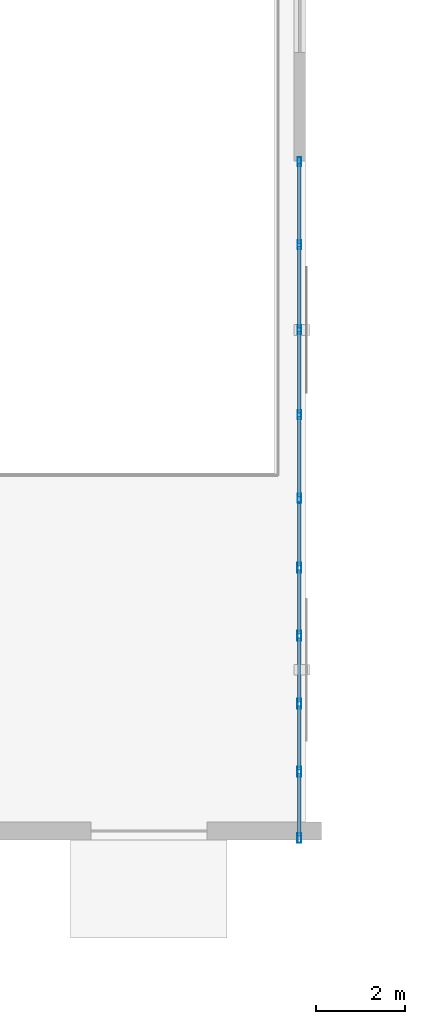
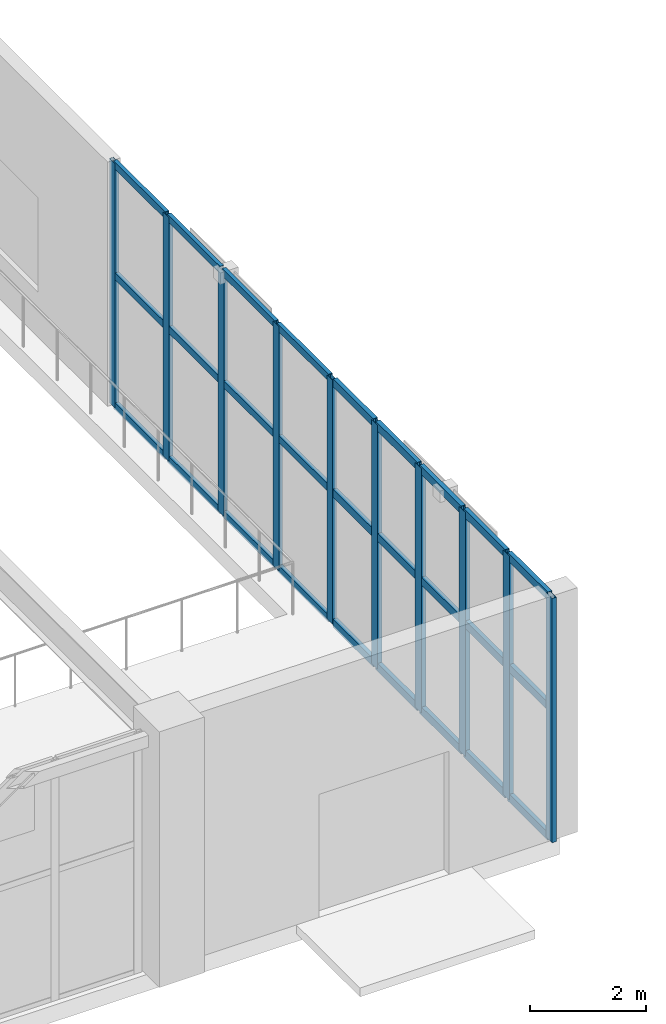
# One storey, part 97 of 139: 37 members, 2 elements without a shape of their own.
"""IFC4 building model written with IfcOpenShell, lengths in metres."""

from ifc_helpers import new_model, si_unit, direction, frame, origin, origin_2d, place, context, subcontext, project, spatial, hollow_rectangle, extrude, material, layer, layer_set, material_profile, profile_set, type_object, element, aggregate, save


model = new_model("IFC4")

# Units and contexts
model_context = context("Model", 3, precision=1e-05, world=origin(), true_north=direction((0.0, 1.0)))
body_context = subcontext(model_context, "Body", "Model", "MODEL_VIEW")
ifc_project = project(units=[si_unit("LENGTHUNIT", "METRE"), si_unit("AREAUNIT", "SQUARE_METRE"), si_unit("VOLUMEUNIT", "CUBIC_METRE"), si_unit("PLANEANGLEUNIT", "RADIAN"), si_unit("MASSUNIT", "GRAM", prefix="KILO")], contexts=[model_context])

# Site, building, storey
site_placement = place(None, origin())
site = spatial("IfcSite", under=ifc_project, at=site_placement, CompositionType="ELEMENT")
building_placement = place(site_placement, origin())
building = spatial("IfcBuilding", under=site, at=building_placement, Name="Xicomal Pleat Aquarium", CompositionType="ELEMENT")
storey_placement = place(building_placement, origin())
storey = spatial("IfcBuildingStorey", under=building, at=storey_placement, Name="L01", CompositionType="ELEMENT", Elevation=0.0)

# Curtain wall, members
ifc_material_1 = material(Name="Bronze anodized aluminium 6063-T6", Category="aluminium")
ifc_layer_1 = layer(ifc_material_1, 0.159912109375)
ifc_layer_set_1 = layer_set([ifc_layer_1], Name="Bronze anodized aluminium 6063-T6")
curtain_wall_type_1 = type_object("IfcCurtainWallType", Name="CW-SYS-06", PredefinedType="NOTDEFINED", material=ifc_layer_set_1)
curtain_wall_1_placement = place(storey_placement, origin())
curtain_wall_1 = element("IfcCurtainWall", 1, at=curtain_wall_1_placement, inside=storey, type_object=curtain_wall_type_1, Name="L01 unitised curtain wall CW-L01-064", PredefinedType="NOTDEFINED")
ifc_material_2 = material(Name="Bronze anodized aluminium 6063-T6", Category="aluminium")
ifc_material_profile_1 = material_profile(ifc_material_2, hollow_rectangle(XDim=0.074951171875, YDim=0.199951171875, WallThickness=0.00439453125, at=origin_2d()), Name="ALU MULL 75x200")
ifc_profile_set_1 = profile_set([ifc_material_profile_1], Name="Bronze anodized aluminium 6063-T6")
member_type_1 = type_object("IfcMemberType", Name="CWM-75x200", PredefinedType="MULLION", material=ifc_profile_set_1)
member_1_placement = place(storey_placement, frame((164.860107421875, 91.16259765625, 0.0), z_axis=(0.0, 0.0, 1.0), x_axis=(1.0, 0.0, 0.0)))
member_1 = element("IfcMember", 2, at=member_1_placement, type_object=member_type_1, Name="CW-06 mullion 1", PredefinedType="MULLION", context=body_context, shape_type="SweptSolid", body=[
    extrude(hollow_rectangle(XDim=0.074951171875, YDim=0.199951171875, WallThickness=0.00439453125, at=origin_2d()), origin(), (0.0, 0.0, 1.0), 5.159912109375),
])
member_2_placement = place(storey_placement, frame((164.860107421875, 89.300048828125, 0.0), z_axis=(0.0, 0.0, 1.0), x_axis=(1.0, 0.0, 0.0)))
member_2 = element("IfcMember", 3, at=member_2_placement, type_object=member_type_1, Name="CW-06 mullion 2", PredefinedType="MULLION", context=body_context, shape_type="SweptSolid", body=[
    extrude(hollow_rectangle(XDim=0.074951171875, YDim=0.199951171875, WallThickness=0.00439453125, at=origin_2d()), origin(), (0.0, 0.0, 1.0), 5.159912109375),
])
member_3_placement = place(storey_placement, frame((164.860107421875, 87.39990234375, 0.0), z_axis=(0.0, 0.0, 1.0), x_axis=(1.0, 0.0, 0.0)))
member_3 = element("IfcMember", 4, at=member_3_placement, type_object=member_type_1, Name="CW-06 mullion 3", PredefinedType="MULLION", context=body_context, shape_type="SweptSolid", body=[
    extrude(hollow_rectangle(XDim=0.074951171875, YDim=0.199951171875, WallThickness=0.00439453125, at=origin_2d()), origin(), (0.0, 0.0, 1.0), 5.159912109375),
])
member_4_placement = place(storey_placement, frame((164.860107421875, 85.5, 0.0), z_axis=(0.0, 0.0, 1.0), x_axis=(1.0, 0.0, 0.0)))
member_4 = element("IfcMember", 5, at=member_4_placement, type_object=member_type_1, Name="CW-06 mullion 4", PredefinedType="MULLION", context=body_context, shape_type="SweptSolid", body=[
    extrude(hollow_rectangle(XDim=0.074951171875, YDim=0.199951171875, WallThickness=0.00439453125, at=origin_2d()), origin(), (0.0, 0.0, 1.0), 5.159912109375),
])
member_5_placement = place(storey_placement, frame((164.860107421875, 83.637451171875, 0.0), z_axis=(0.0, 0.0, 1.0), x_axis=(1.0, 0.0, 0.0)))
member_5 = element("IfcMember", 6, at=member_5_placement, type_object=member_type_1, Name="CW-06 mullion 5", PredefinedType="MULLION", context=body_context, shape_type="SweptSolid", body=[
    extrude(hollow_rectangle(XDim=0.074951171875, YDim=0.199951171875, WallThickness=0.00439453125, at=origin_2d()), origin(), (0.0, 0.0, 1.0), 5.159912109375),
])

ifc_material_3 = material(Name="Bronze anodized aluminium 6063-T6", Category="aluminium")
ifc_layer_2 = layer(ifc_material_3, 0.159912109375)
ifc_layer_set_2 = layer_set([ifc_layer_2], Name="Bronze anodized aluminium 6063-T6")
curtain_wall_type_2 = type_object("IfcCurtainWallType", Name="CW-SYS-11", PredefinedType="NOTDEFINED", material=ifc_layer_set_2)
curtain_wall_2_placement = place(storey_placement, origin())
curtain_wall_2 = element("IfcCurtainWall", 7, at=curtain_wall_2_placement, inside=storey, type_object=curtain_wall_type_2, Name="L01 unitised curtain wall CW-L01-065", PredefinedType="NOTDEFINED")
ifc_material_4 = material(Name="Bronze anodized aluminium 6063-T6", Category="aluminium")
ifc_material_profile_2 = material_profile(ifc_material_4, hollow_rectangle(XDim=0.0849609375, YDim=0.219970703125, WallThickness=0.0048828125, at=origin_2d()), Name="ALU MULL 85x220")
ifc_profile_set_2 = profile_set([ifc_material_profile_2], Name="Bronze anodized aluminium 6063-T6")
member_type_2 = type_object("IfcMemberType", Name="CWM-85x220", PredefinedType="MULLION", material=ifc_profile_set_2)
member_6_placement = place(storey_placement, frame((164.860107421875, 82.080078125, 0.0), z_axis=(0.0, 0.0, 1.0), x_axis=(1.0, 0.0, 0.0)))
member_6 = element("IfcMember", 8, at=member_6_placement, type_object=member_type_2, Name="CW-11 mullion 2", PredefinedType="MULLION", context=body_context, shape_type="SweptSolid", body=[
    extrude(hollow_rectangle(XDim=0.0849609375, YDim=0.219970703125, WallThickness=0.0048828125, at=origin_2d()), origin(), (0.0, 0.0, 1.0), 5.159912109375),
])
member_7_placement = place(storey_placement, frame((164.860107421875, 80.56005859375, 0.0), z_axis=(0.0, 0.0, 1.0), x_axis=(1.0, 0.0, 0.0)))
member_7 = element("IfcMember", 9, at=member_7_placement, type_object=member_type_2, Name="CW-11 mullion 3", PredefinedType="MULLION", context=body_context, shape_type="SweptSolid", body=[
    extrude(hollow_rectangle(XDim=0.0849609375, YDim=0.219970703125, WallThickness=0.0048828125, at=origin_2d()), origin(), (0.0, 0.0, 1.0), 5.159912109375),
])
member_8_placement = place(storey_placement, frame((164.860107421875, 79.0400390625, 0.0), z_axis=(0.0, 0.0, 1.0), x_axis=(1.0, 0.0, 0.0)))
member_8 = element("IfcMember", 10, at=member_8_placement, type_object=member_type_2, Name="CW-11 mullion 4", PredefinedType="MULLION", context=body_context, shape_type="SweptSolid", body=[
    extrude(hollow_rectangle(XDim=0.0849609375, YDim=0.219970703125, WallThickness=0.0048828125, at=origin_2d()), origin(), (0.0, 0.0, 1.0), 5.159912109375),
])
member_9_placement = place(storey_placement, frame((164.860107421875, 77.52001953125, 0.0), z_axis=(0.0, 0.0, 1.0), x_axis=(1.0, 0.0, 0.0)))
member_9 = element("IfcMember", 11, at=member_9_placement, type_object=member_type_2, Name="CW-11 mullion 5", PredefinedType="MULLION", context=body_context, shape_type="SweptSolid", body=[
    extrude(hollow_rectangle(XDim=0.0849609375, YDim=0.219970703125, WallThickness=0.0048828125, at=origin_2d()), origin(), (0.0, 0.0, 1.0), 5.159912109375),
])
member_10_placement = place(storey_placement, frame((164.860107421875, 76.04248046875, 0.0), z_axis=(0.0, 0.0, 1.0), x_axis=(1.0, 0.0, 0.0)))
member_10 = element("IfcMember", 12, at=member_10_placement, type_object=member_type_2, Name="CW-11 mullion 6", PredefinedType="MULLION", context=body_context, shape_type="SweptSolid", body=[
    extrude(hollow_rectangle(XDim=0.0849609375, YDim=0.219970703125, WallThickness=0.0048828125, at=origin_2d()), origin(), (0.0, 0.0, 1.0), 5.159912109375),
])

# Member
ifc_material_5 = material(Name="Bronze anodized aluminium 6063-T6", Category="aluminium")
ifc_material_profile_3 = material_profile(ifc_material_5, hollow_rectangle(XDim=0.074951171875, YDim=0.14990234375, WallThickness=0.00439453125, at=origin_2d()), Name="ALU TRAN 75x150")
ifc_profile_set_3 = profile_set([ifc_material_profile_3], Name="Bronze anodized aluminium 6063-T6")
member_type_3 = type_object("IfcMemberType", Name="CWT-75x150", PredefinedType="USERDEFINED", material=ifc_profile_set_3)
member_11_placement = place(storey_placement, frame((164.860107421875, 91.125, 0.03759765625), z_axis=(0.0, -1.0, 0.0), x_axis=(1.0, 0.0, 0.0)))
member_11 = element("IfcMember", 13, at=member_11_placement, type_object=member_type_3, Name="CW-06 transom 1.1", ObjectType="TRANSOM", PredefinedType="USERDEFINED", context=body_context, shape_type="SweptSolid", body=[
    extrude(hollow_rectangle(XDim=0.074951171875, YDim=0.14990234375, WallThickness=0.00439453125, at=origin_2d()), origin(), (0.0, 0.0, 1.0), 1.78759765625),
])

member_12_placement = place(storey_placement, frame((164.860107421875, 91.125, 2.785888671875), z_axis=(0.0, -1.0, 0.0), x_axis=(1.0, 0.0, 0.0)))
member_12 = element("IfcMember", 14, at=member_12_placement, type_object=member_type_3, Name="CW-06 transom 1.2", ObjectType="TRANSOM", PredefinedType="USERDEFINED", context=body_context, shape_type="SweptSolid", body=[
    extrude(hollow_rectangle(XDim=0.074951171875, YDim=0.14990234375, WallThickness=0.00439453125, at=origin_2d()), origin(), (0.0, 0.0, 1.0), 1.78759765625),
])

member_13_placement = place(storey_placement, frame((164.860107421875, 91.125, 5.12255859375), z_axis=(0.0, -1.0, 0.0), x_axis=(1.0, 0.0, 0.0)))
member_13 = element("IfcMember", 15, at=member_13_placement, type_object=member_type_3, Name="CW-06 transom 1.3", ObjectType="TRANSOM", PredefinedType="USERDEFINED", context=body_context, shape_type="SweptSolid", body=[
    extrude(hollow_rectangle(XDim=0.074951171875, YDim=0.14990234375, WallThickness=0.00439453125, at=origin_2d()), origin(), (0.0, 0.0, 1.0), 1.78759765625),
])

member_14_placement = place(storey_placement, frame((164.860107421875, 89.262451171875, 0.03759765625), z_axis=(0.0, -1.0, 0.0), x_axis=(1.0, 0.0, 0.0)))
member_14 = element("IfcMember", 16, at=member_14_placement, type_object=member_type_3, Name="CW-06 transom 2.1", ObjectType="TRANSOM", PredefinedType="USERDEFINED", context=body_context, shape_type="SweptSolid", body=[
    extrude(hollow_rectangle(XDim=0.074951171875, YDim=0.14990234375, WallThickness=0.00439453125, at=origin_2d()), origin(), (0.0, 0.0, 1.0), 1.824951171875),
])

member_15_placement = place(storey_placement, frame((164.860107421875, 89.262451171875, 2.785888671875), z_axis=(0.0, -1.0, 0.0), x_axis=(1.0, 0.0, 0.0)))
member_15 = element("IfcMember", 17, at=member_15_placement, type_object=member_type_3, Name="CW-06 transom 2.2", ObjectType="TRANSOM", PredefinedType="USERDEFINED", context=body_context, shape_type="SweptSolid", body=[
    extrude(hollow_rectangle(XDim=0.074951171875, YDim=0.14990234375, WallThickness=0.00439453125, at=origin_2d()), origin(), (0.0, 0.0, 1.0), 1.824951171875),
])

member_16_placement = place(storey_placement, frame((164.860107421875, 89.262451171875, 5.12255859375), z_axis=(0.0, -1.0, 0.0), x_axis=(1.0, 0.0, 0.0)))
member_16 = element("IfcMember", 18, at=member_16_placement, type_object=member_type_3, Name="CW-06 transom 2.3", ObjectType="TRANSOM", PredefinedType="USERDEFINED", context=body_context, shape_type="SweptSolid", body=[
    extrude(hollow_rectangle(XDim=0.074951171875, YDim=0.14990234375, WallThickness=0.00439453125, at=origin_2d()), origin(), (0.0, 0.0, 1.0), 1.824951171875),
])

member_17_placement = place(storey_placement, frame((164.860107421875, 87.362548828125, 0.03759765625), z_axis=(0.0, -1.0, 0.0), x_axis=(1.0, 0.0, 0.0)))
member_17 = element("IfcMember", 19, at=member_17_placement, type_object=member_type_3, Name="CW-06 transom 3.1", ObjectType="TRANSOM", PredefinedType="USERDEFINED", context=body_context, shape_type="SweptSolid", body=[
    extrude(hollow_rectangle(XDim=0.074951171875, YDim=0.14990234375, WallThickness=0.00439453125, at=origin_2d()), origin(), (0.0, 0.0, 1.0), 1.824951171875),
])

member_18_placement = place(storey_placement, frame((164.860107421875, 87.362548828125, 2.785888671875), z_axis=(0.0, -1.0, 0.0), x_axis=(1.0, 0.0, 0.0)))
member_18 = element("IfcMember", 20, at=member_18_placement, type_object=member_type_3, Name="CW-06 transom 3.2", ObjectType="TRANSOM", PredefinedType="USERDEFINED", context=body_context, shape_type="SweptSolid", body=[
    extrude(hollow_rectangle(XDim=0.074951171875, YDim=0.14990234375, WallThickness=0.00439453125, at=origin_2d()), origin(), (0.0, 0.0, 1.0), 1.824951171875),
])

member_19_placement = place(storey_placement, frame((164.860107421875, 87.362548828125, 5.12255859375), z_axis=(0.0, -1.0, 0.0), x_axis=(1.0, 0.0, 0.0)))
member_19 = element("IfcMember", 21, at=member_19_placement, type_object=member_type_3, Name="CW-06 transom 3.3", ObjectType="TRANSOM", PredefinedType="USERDEFINED", context=body_context, shape_type="SweptSolid", body=[
    extrude(hollow_rectangle(XDim=0.074951171875, YDim=0.14990234375, WallThickness=0.00439453125, at=origin_2d()), origin(), (0.0, 0.0, 1.0), 1.824951171875),
])

member_20_placement = place(storey_placement, frame((164.860107421875, 85.46240234375, 0.03759765625), z_axis=(0.0, -1.0, 0.0), x_axis=(1.0, 0.0, 0.0)))
member_20 = element("IfcMember", 22, at=member_20_placement, type_object=member_type_3, Name="CW-06 transom 4.1", ObjectType="TRANSOM", PredefinedType="USERDEFINED", context=body_context, shape_type="SweptSolid", body=[
    extrude(hollow_rectangle(XDim=0.074951171875, YDim=0.14990234375, WallThickness=0.00439453125, at=origin_2d()), origin(), (0.0, 0.0, 1.0), 1.787353515625),
])

member_21_placement = place(storey_placement, frame((164.860107421875, 85.46240234375, 2.785888671875), z_axis=(0.0, -1.0, 0.0), x_axis=(1.0, 0.0, 0.0)))
member_21 = element("IfcMember", 23, at=member_21_placement, type_object=member_type_3, Name="CW-06 transom 4.2", ObjectType="TRANSOM", PredefinedType="USERDEFINED", context=body_context, shape_type="SweptSolid", body=[
    extrude(hollow_rectangle(XDim=0.074951171875, YDim=0.14990234375, WallThickness=0.00439453125, at=origin_2d()), origin(), (0.0, 0.0, 1.0), 1.787353515625),
])

member_22_placement = place(storey_placement, frame((164.860107421875, 85.46240234375, 5.12255859375), z_axis=(0.0, -1.0, 0.0), x_axis=(1.0, 0.0, 0.0)))
member_22 = element("IfcMember", 24, at=member_22_placement, type_object=member_type_3, Name="CW-06 transom 4.3", ObjectType="TRANSOM", PredefinedType="USERDEFINED", context=body_context, shape_type="SweptSolid", body=[
    extrude(hollow_rectangle(XDim=0.074951171875, YDim=0.14990234375, WallThickness=0.00439453125, at=origin_2d()), origin(), (0.0, 0.0, 1.0), 1.787353515625),
])

aggregate(curtain_wall_1, [member_1, member_2, member_3, member_4, member_5, member_11, member_12, member_13, member_14, member_15, member_16, member_17, member_18, member_19, member_20, member_21, member_22])

ifc_material_6 = material(Name="Bronze anodized aluminium 6063-T6", Category="aluminium")
ifc_material_profile_4 = material_profile(ifc_material_6, hollow_rectangle(XDim=0.0849609375, YDim=0.169921875, WallThickness=0.0048828125, at=origin_2d()), Name="ALU TRAN 85x170")
ifc_profile_set_4 = profile_set([ifc_material_profile_4], Name="Bronze anodized aluminium 6063-T6")
member_type_4 = type_object("IfcMemberType", Name="CWT-85x170", PredefinedType="USERDEFINED", material=ifc_profile_set_4)
member_23_placement = place(storey_placement, frame((164.860107421875, 83.514892578125, 0.04248046875), z_axis=(0.0, -1.0, 0.0), x_axis=(1.0, 0.0, 0.0)))
member_23 = element("IfcMember", 25, at=member_23_placement, type_object=member_type_4, Name="CW-11 transom 1.1", ObjectType="TRANSOM", PredefinedType="USERDEFINED", context=body_context, shape_type="SweptSolid", body=[
    extrude(hollow_rectangle(XDim=0.0849609375, YDim=0.169921875, WallThickness=0.0048828125, at=origin_2d()), origin(), (0.0, 0.0, 1.0), 1.392333984375),
])

member_24_placement = place(storey_placement, frame((164.860107421875, 83.514892578125, 2.785888671875), z_axis=(0.0, -1.0, 0.0), x_axis=(1.0, 0.0, 0.0)))
member_24 = element("IfcMember", 26, at=member_24_placement, type_object=member_type_4, Name="CW-11 transom 1.2", ObjectType="TRANSOM", PredefinedType="USERDEFINED", context=body_context, shape_type="SweptSolid", body=[
    extrude(hollow_rectangle(XDim=0.0849609375, YDim=0.169921875, WallThickness=0.0048828125, at=origin_2d()), origin(), (0.0, 0.0, 1.0), 1.392333984375),
])

member_25_placement = place(storey_placement, frame((164.860107421875, 83.514892578125, 5.117431640625), z_axis=(0.0, -1.0, 0.0), x_axis=(1.0, 0.0, 0.0)))
member_25 = element("IfcMember", 27, at=member_25_placement, type_object=member_type_4, Name="CW-11 transom 1.3", ObjectType="TRANSOM", PredefinedType="USERDEFINED", context=body_context, shape_type="SweptSolid", body=[
    extrude(hollow_rectangle(XDim=0.0849609375, YDim=0.169921875, WallThickness=0.0048828125, at=origin_2d()), origin(), (0.0, 0.0, 1.0), 1.392333984375),
])

member_26_placement = place(storey_placement, frame((164.860107421875, 82.03759765625, 0.04248046875), z_axis=(0.0, -1.0, 0.0), x_axis=(1.0, 0.0, 0.0)))
member_26 = element("IfcMember", 28, at=member_26_placement, type_object=member_type_4, Name="CW-11 transom 2.1", ObjectType="TRANSOM", PredefinedType="USERDEFINED", context=body_context, shape_type="SweptSolid", body=[
    extrude(hollow_rectangle(XDim=0.0849609375, YDim=0.169921875, WallThickness=0.0048828125, at=origin_2d()), origin(), (0.0, 0.0, 1.0), 1.43505859375),
])

member_27_placement = place(storey_placement, frame((164.860107421875, 82.03759765625, 2.785888671875), z_axis=(0.0, -1.0, 0.0), x_axis=(1.0, 0.0, 0.0)))
member_27 = element("IfcMember", 29, at=member_27_placement, type_object=member_type_4, Name="CW-11 transom 2.2", ObjectType="TRANSOM", PredefinedType="USERDEFINED", context=body_context, shape_type="SweptSolid", body=[
    extrude(hollow_rectangle(XDim=0.0849609375, YDim=0.169921875, WallThickness=0.0048828125, at=origin_2d()), origin(), (0.0, 0.0, 1.0), 1.43505859375),
])

member_28_placement = place(storey_placement, frame((164.860107421875, 82.03759765625, 5.117431640625), z_axis=(0.0, -1.0, 0.0), x_axis=(1.0, 0.0, 0.0)))
member_28 = element("IfcMember", 30, at=member_28_placement, type_object=member_type_4, Name="CW-11 transom 2.3", ObjectType="TRANSOM", PredefinedType="USERDEFINED", context=body_context, shape_type="SweptSolid", body=[
    extrude(hollow_rectangle(XDim=0.0849609375, YDim=0.169921875, WallThickness=0.0048828125, at=origin_2d()), origin(), (0.0, 0.0, 1.0), 1.43505859375),
])

member_29_placement = place(storey_placement, frame((164.860107421875, 80.517578125, 0.04248046875), z_axis=(0.0, -1.0, 0.0), x_axis=(1.0, 0.0, 0.0)))
member_29 = element("IfcMember", 31, at=member_29_placement, type_object=member_type_4, Name="CW-11 transom 3.1", ObjectType="TRANSOM", PredefinedType="USERDEFINED", context=body_context, shape_type="SweptSolid", body=[
    extrude(hollow_rectangle(XDim=0.0849609375, YDim=0.169921875, WallThickness=0.0048828125, at=origin_2d()), origin(), (0.0, 0.0, 1.0), 1.43505859375),
])

member_30_placement = place(storey_placement, frame((164.860107421875, 80.517578125, 2.785888671875), z_axis=(0.0, -1.0, 0.0), x_axis=(1.0, 0.0, 0.0)))
member_30 = element("IfcMember", 32, at=member_30_placement, type_object=member_type_4, Name="CW-11 transom 3.2", ObjectType="TRANSOM", PredefinedType="USERDEFINED", context=body_context, shape_type="SweptSolid", body=[
    extrude(hollow_rectangle(XDim=0.0849609375, YDim=0.169921875, WallThickness=0.0048828125, at=origin_2d()), origin(), (0.0, 0.0, 1.0), 1.43505859375),
])

member_31_placement = place(storey_placement, frame((164.860107421875, 80.517578125, 5.117431640625), z_axis=(0.0, -1.0, 0.0), x_axis=(1.0, 0.0, 0.0)))
member_31 = element("IfcMember", 33, at=member_31_placement, type_object=member_type_4, Name="CW-11 transom 3.3", ObjectType="TRANSOM", PredefinedType="USERDEFINED", context=body_context, shape_type="SweptSolid", body=[
    extrude(hollow_rectangle(XDim=0.0849609375, YDim=0.169921875, WallThickness=0.0048828125, at=origin_2d()), origin(), (0.0, 0.0, 1.0), 1.43505859375),
])

member_32_placement = place(storey_placement, frame((164.860107421875, 78.99755859375, 0.04248046875), z_axis=(0.0, -1.0, 0.0), x_axis=(1.0, 0.0, 0.0)))
member_32 = element("IfcMember", 34, at=member_32_placement, type_object=member_type_4, Name="CW-11 transom 4.1", ObjectType="TRANSOM", PredefinedType="USERDEFINED", context=body_context, shape_type="SweptSolid", body=[
    extrude(hollow_rectangle(XDim=0.0849609375, YDim=0.169921875, WallThickness=0.0048828125, at=origin_2d()), origin(), (0.0, 0.0, 1.0), 1.43505859375),
])

member_33_placement = place(storey_placement, frame((164.860107421875, 78.99755859375, 2.785888671875), z_axis=(0.0, -1.0, 0.0), x_axis=(1.0, 0.0, 0.0)))
member_33 = element("IfcMember", 35, at=member_33_placement, type_object=member_type_4, Name="CW-11 transom 4.2", ObjectType="TRANSOM", PredefinedType="USERDEFINED", context=body_context, shape_type="SweptSolid", body=[
    extrude(hollow_rectangle(XDim=0.0849609375, YDim=0.169921875, WallThickness=0.0048828125, at=origin_2d()), origin(), (0.0, 0.0, 1.0), 1.43505859375),
])

member_34_placement = place(storey_placement, frame((164.860107421875, 78.99755859375, 5.117431640625), z_axis=(0.0, -1.0, 0.0), x_axis=(1.0, 0.0, 0.0)))
member_34 = element("IfcMember", 36, at=member_34_placement, type_object=member_type_4, Name="CW-11 transom 4.3", ObjectType="TRANSOM", PredefinedType="USERDEFINED", context=body_context, shape_type="SweptSolid", body=[
    extrude(hollow_rectangle(XDim=0.0849609375, YDim=0.169921875, WallThickness=0.0048828125, at=origin_2d()), origin(), (0.0, 0.0, 1.0), 1.43505859375),
])

member_35_placement = place(storey_placement, frame((164.860107421875, 77.4775390625, 0.04248046875), z_axis=(0.0, -1.0, 0.0), x_axis=(1.0, 0.0, 0.0)))
member_35 = element("IfcMember", 37, at=member_35_placement, type_object=member_type_4, Name="CW-11 transom 5.1", ObjectType="TRANSOM", PredefinedType="USERDEFINED", context=body_context, shape_type="SweptSolid", body=[
    extrude(hollow_rectangle(XDim=0.0849609375, YDim=0.169921875, WallThickness=0.0048828125, at=origin_2d()), origin(), (0.0, 0.0, 1.0), 1.392578125),
])

member_36_placement = place(storey_placement, frame((164.860107421875, 77.4775390625, 2.785888671875), z_axis=(0.0, -1.0, 0.0), x_axis=(1.0, 0.0, 0.0)))
member_36 = element("IfcMember", 38, at=member_36_placement, type_object=member_type_4, Name="CW-11 transom 5.2", ObjectType="TRANSOM", PredefinedType="USERDEFINED", context=body_context, shape_type="SweptSolid", body=[
    extrude(hollow_rectangle(XDim=0.0849609375, YDim=0.169921875, WallThickness=0.0048828125, at=origin_2d()), origin(), (0.0, 0.0, 1.0), 1.392578125),
])

member_37_placement = place(storey_placement, frame((164.860107421875, 77.4775390625, 5.117431640625), z_axis=(0.0, -1.0, 0.0), x_axis=(1.0, 0.0, 0.0)))
member_37 = element("IfcMember", 39, at=member_37_placement, type_object=member_type_4, Name="CW-11 transom 5.3", ObjectType="TRANSOM", PredefinedType="USERDEFINED", context=body_context, shape_type="SweptSolid", body=[
    extrude(hollow_rectangle(XDim=0.0849609375, YDim=0.169921875, WallThickness=0.0048828125, at=origin_2d()), origin(), (0.0, 0.0, 1.0), 1.392578125),
])

aggregate(curtain_wall_2, [member_6, member_7, member_8, member_9, member_10, member_23, member_24, member_25, member_26, member_27, member_28, member_29, member_30, member_31, member_32, member_33, member_34, member_35, member_36, member_37])

save(model, "model.ifc")
